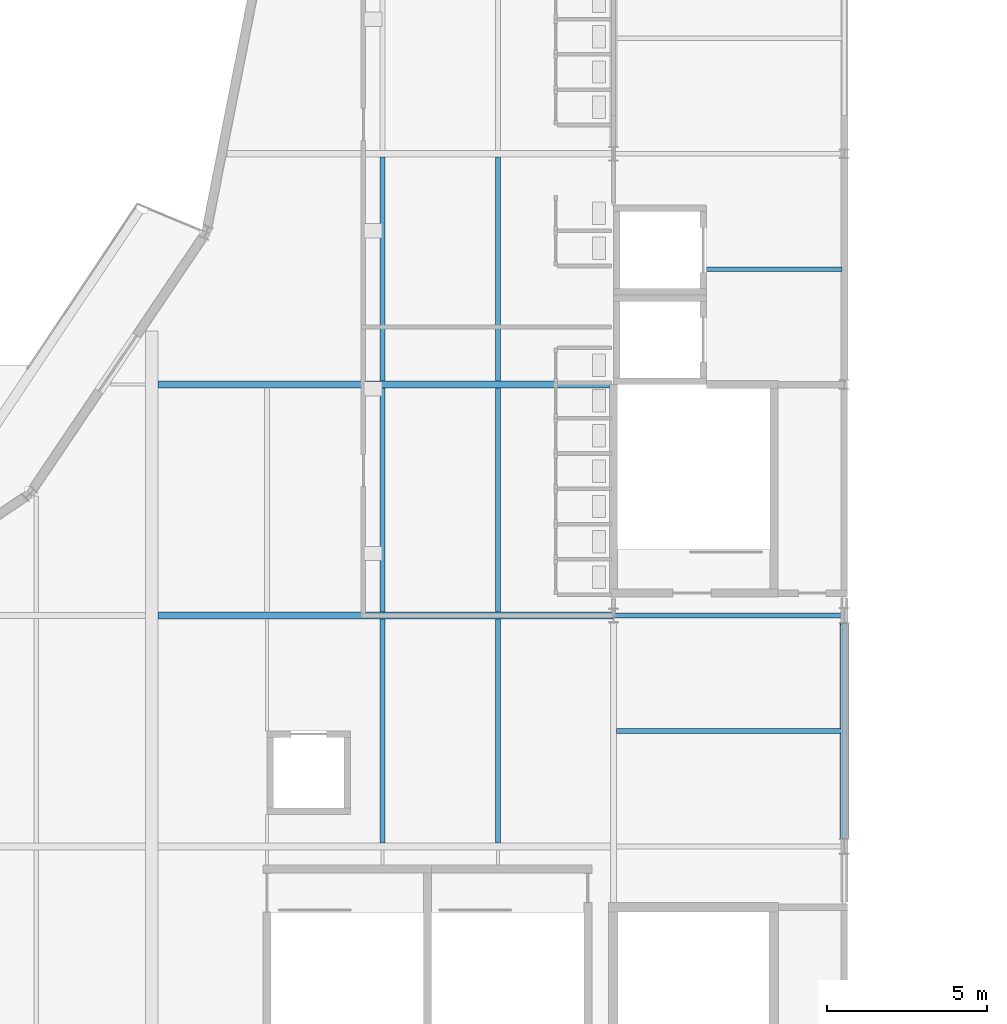
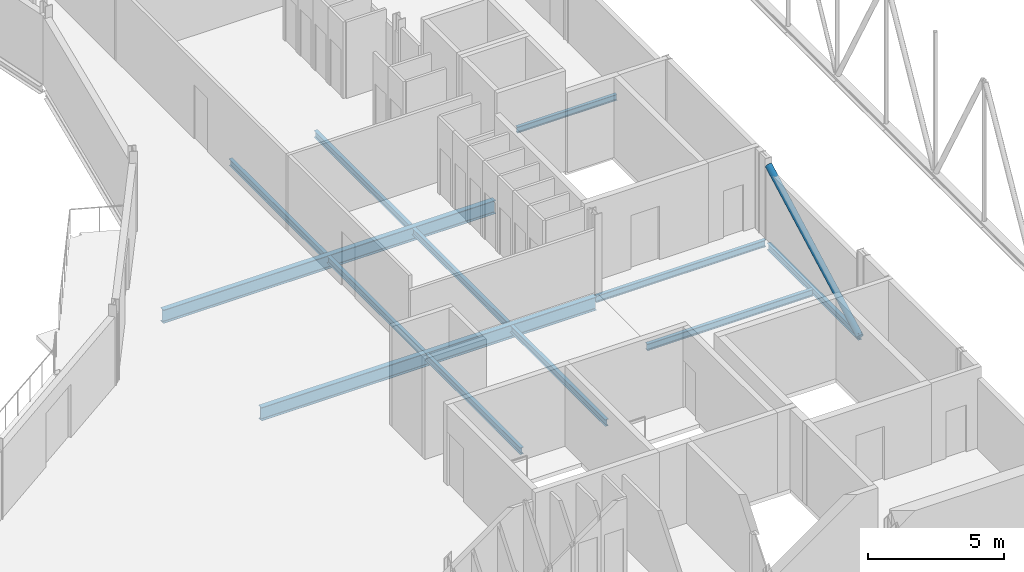
# One storey, part 36 of 142: 12 beams, 1 member.
"""IFC4 building model written with IfcOpenShell, lengths in metres."""

import ifcopenshell
import ifcopenshell.guid

model = None  # the IFC model being written
_history = None  # IfcOwnerHistory: only IFC2X3 demands one
_inside = {}  # id of a spatial element -> (the spatial element, [elements in it])
_under = {}  # id of a project, library or spatial element -> (it, [spatial elements below it])
_declared = {}  # id of a project -> (the project, [libraries it declares])
_typed = {}  # id of a type object -> (the type object, [elements of that type])
_made_of = {}  # id of a material, layer set ... -> (it, [elements and type objects made of it])


def new_model(schema):
    """Start an empty IFC model of exactly this schema.

    Asked for "IFC4X3", IfcOpenShell would pick the latest addendum, in which some entities
    have other attributes; the version numbers below select the first issue.
    IFC2X3 requires an IfcOwnerHistory on every rooted entity: one is made here for all.
    """
    global model, _history
    if schema == "IFC4X3":
        model = ifcopenshell.file(schema_version=(4, 3, 0, 0))
    else:
        model = ifcopenshell.file(schema=schema)
    _inside.clear()
    _under.clear()
    _declared.clear()
    _typed.clear()
    _made_of.clear()
    _history = None
    if model.schema == "IFC2X3":
        org = make("IfcOrganization", Name="unknown")
        user = make(
            "IfcPersonAndOrganization",
            ThePerson=make("IfcPerson", FamilyName="unknown"),
            TheOrganization=org,
        )
        app = make(
            "IfcApplication",
            ApplicationDeveloper=org,
            Version="unknown",
            ApplicationFullName="unknown",
            ApplicationIdentifier="unknown",
        )
        _history = make(
            "IfcOwnerHistory",
            OwningUser=user,
            OwningApplication=app,
            ChangeAction="ADDED",
            CreationDate=0,
        )
    return model


def make(cls, **values):
    """One entity of the class cls with the attributes given. An attribute that is None is left unset."""
    return model.create_entity(
        cls, **{name: value for name, value in values.items() if value is not None}
    )


def rooted(cls, **values):
    """An entity with a GlobalId (a new one), such as an element, a storey or a relation."""
    return make(cls, GlobalId=ifcopenshell.guid.new(), OwnerHistory=_history, **values)


def si_unit(unit_type, name, prefix=None):
    """IfcSIUnit, for example si_unit("LENGTHUNIT", "METRE", prefix="MILLI")."""
    return make("IfcSIUnit", UnitType=unit_type, Prefix=prefix, Name=name)


def assignment(units):
    """IfcUnitAssignment: the units of a project."""
    return None if units is None else make("IfcUnitAssignment", Units=units)


def point(xyz):
    """IfcCartesianPoint."""
    return None if xyz is None else make("IfcCartesianPoint", Coordinates=xyz)


def direction(xyz):
    """IfcDirection."""
    return None if xyz is None else make("IfcDirection", DirectionRatios=xyz)


def frame(location, z_axis=None, x_axis=None):
    """IfcAxis2Placement3D, a coordinate frame: its origin and axes. An axis left out is left unset."""
    return make(
        "IfcAxis2Placement3D",
        Location=point(location),
        Axis=direction(z_axis),
        RefDirection=direction(x_axis),
    )


def frame_2d(location, x_axis=None):
    """IfcAxis2Placement2D, a coordinate frame in the plane: its origin and x axis."""
    return make(
        "IfcAxis2Placement2D", Location=point(location), RefDirection=direction(x_axis)
    )


def origin():
    """The frame at (0, 0, 0) with its axes left unset."""
    return frame((0.0, 0.0, 0.0))


def origin_2d():
    """The frame at (0, 0) in the plane with its x axis left unset."""
    return frame_2d((0.0, 0.0))


def place(relative_to, where):
    """IfcLocalPlacement: puts the frame where relative to a parent placement (None: the world)."""
    return make(
        "IfcLocalPlacement", PlacementRelTo=relative_to, RelativePlacement=where
    )


def context(
    kind, dimensions, precision=None, world=None, true_north=None, identifier=None
):
    """IfcGeometricRepresentationContext, for example the 3D "Model" context."""
    return make(
        "IfcGeometricRepresentationContext",
        ContextIdentifier=identifier,
        ContextType=kind,
        CoordinateSpaceDimension=dimensions,
        Precision=precision,
        WorldCoordinateSystem=world,
        TrueNorth=true_north,
    )


def subcontext(parent, identifier, kind, view, scale=None):
    """IfcGeometricRepresentationSubContext, for example "Body" below "Model"."""
    return make(
        "IfcGeometricRepresentationSubContext",
        ContextIdentifier=identifier,
        ContextType=kind,
        ParentContext=parent,
        TargetScale=scale,
        TargetView=view,
    )


def project(units=None, contexts=None):
    """IfcProject with its units and contexts."""
    return rooted(
        "IfcProject",
        Name="project",
        RepresentationContexts=contexts,
        UnitsInContext=assignment(units),
    )


def spatial(cls, under=None, at=None, **own):
    """A site, building, storey or space (cls), placed at a placement, below another one or the project."""
    s = rooted(cls, ObjectPlacement=at, **own)
    if under is not None:
        _under.setdefault(under.id(), (under, []))[1].append(s)
    return s


def profile(cls, at=None, kind="AREA", **sizes):
    """A parametric profile (cls). Its sizes go by their IFC names, for example OverallWidth=200.0."""
    return make(cls, ProfileType=kind, Position=at, **sizes)


def hollow_circle(**sizes):
    """IfcCircleHollowProfileDef."""
    return profile("IfcCircleHollowProfileDef", **sizes)


def i_section(**sizes):
    """IfcIShapeProfileDef."""
    return profile("IfcIShapeProfileDef", **sizes)


def extrude(swept, where, along, depth):
    """IfcExtrudedAreaSolid: the profile swept, set in the frame where, extruded along a direction by depth."""
    return make(
        "IfcExtrudedAreaSolid",
        SweptArea=swept,
        Position=where,
        ExtrudedDirection=direction(along),
        Depth=depth,
    )


def shape(context_of_items, identifier, shape_type, items):
    """IfcShapeRepresentation: the items that make up one representation, for example the "Body"."""
    return make(
        "IfcShapeRepresentation",
        ContextOfItems=context_of_items,
        RepresentationIdentifier=identifier,
        RepresentationType=shape_type,
        Items=items,
    )


def material(Name=None, Category=None):
    """IfcMaterial."""
    return make("IfcMaterial", Name=Name, Category=Category)


def material_profile(
    of_material, cross_section, Name=None, Category=None, Priority=None
):
    """IfcMaterialProfile: a cross section and its material."""
    return make(
        "IfcMaterialProfile",
        Name=Name,
        Material=of_material,
        Profile=cross_section,
        Priority=Priority,
        Category=Category,
    )


def profile_set(profiles, Name=None, composite=None):
    """IfcMaterialProfileSet."""
    return make(
        "IfcMaterialProfileSet",
        Name=Name,
        MaterialProfiles=profiles,
        CompositeProfile=composite,
    )


def made_of(thing, what):
    """Note that an element or type object is made of a material, layer set ...; save() writes the relation."""
    if what is not None:
        _made_of.setdefault(what.id(), (what, []))[1].append(thing)
    return thing


def type_object(cls, material=None, **own):
    """A type object (cls), such as IfcWallType, which elements share."""
    return made_of(rooted(cls, **own), material)


def element(
    cls,
    number,
    at=None,
    inside=None,
    cuts=None,
    type_object=None,
    material=None,
    context=None,
    identifier="Body",
    shape_type=None,
    held_by="IfcProductDefinitionShape",
    body=None,
    shapes=None,
    **own,
):
    """One element of the class cls, such as IfcWall. Its Tag is "e" and its number.

    at: its placement. inside: the storey or other place that contains it. cuts: it is an
    opening in that element (IfcRelVoidsElement). A single representation is given by context,
    identifier, shape_type and body (its items); several are given by shapes. held_by: the class
    of the entity that holds the representations. save() writes the other relations.
    """
    e = rooted(cls, Tag="e%d" % number, ObjectPlacement=at, **own)
    if body is not None:
        shapes = [shape(context, identifier, shape_type, body)]
    if shapes is not None:
        e.Representation = make(held_by, Representations=shapes)
    if inside is not None:
        _inside.setdefault(inside.id(), (inside, []))[1].append(e)
    if cuts is not None:
        rooted(
            "IfcRelVoidsElement", RelatingBuildingElement=cuts, RelatedOpeningElement=e
        )
    if type_object is not None:
        _typed.setdefault(type_object.id(), (type_object, []))[1].append(e)
    return made_of(e, material)


def aggregate(whole, parts):
    """IfcRelAggregates: a whole, such as a stair, and the parts it consists of."""
    return rooted("IfcRelAggregates", RelatingObject=whole, RelatedObjects=parts)


def save(model, path):
    """Write the relations noted so far, then the file.

    IfcRelAggregates (storeys below a building ...), IfcRelContainedInSpatialStructure (elements
    in a storey), IfcRelDefinesByType, IfcRelAssociatesMaterial and IfcRelDeclares: one each for
    every whole, place, type object, material and project.
    """
    for whole, parts in _under.values():
        aggregate(whole, parts)
    for where, things in _inside.values():
        rooted(
            "IfcRelContainedInSpatialStructure",
            RelatedElements=things,
            RelatingStructure=where,
        )
    for kind, things in _typed.values():
        rooted("IfcRelDefinesByType", RelatedObjects=things, RelatingType=kind)
    for what, things in _made_of.values():
        rooted("IfcRelAssociatesMaterial", RelatedObjects=things, RelatingMaterial=what)
    for by, libraries in _declared.values():
        rooted("IfcRelDeclares", RelatingContext=by, RelatedDefinitions=libraries)
    model.write(path)


model = new_model("IFC4")

# Units and contexts
model_context = context("Model", 3, precision=1e-05, world=origin(), true_north=direction((0.0, 1.0)))
body_context = subcontext(model_context, "Body", "Model", "MODEL_VIEW")
ifc_project = project(units=[si_unit("LENGTHUNIT", "METRE"), si_unit("AREAUNIT", "SQUARE_METRE"), si_unit("VOLUMEUNIT", "CUBIC_METRE"), si_unit("PLANEANGLEUNIT", "RADIAN"), si_unit("MASSUNIT", "GRAM", prefix="KILO")], contexts=[model_context])

# Site, building, storey
site_placement = place(None, origin())
site = spatial("IfcSite", under=ifc_project, at=site_placement, CompositionType="ELEMENT")
building_placement = place(site_placement, origin())
building = spatial("IfcBuilding", under=site, at=building_placement, Name="Kupolbacken Congress Centre", CompositionType="ELEMENT")
storey_placement = place(building_placement, frame((0.0, 0.0, 14.39990234375)))
storey = spatial("IfcBuildingStorey", under=building, at=storey_placement, Name="L04", CompositionType="ELEMENT", Elevation=14.39990234375)

# Beams
ifc_material_1 = material(Name="Steel S355", Category="steel")
ifc_material_profile_1 = material_profile(ifc_material_1, i_section(OverallWidth=0.135009765625, OverallDepth=0.27001953125, WebThickness=0.006591796875, FlangeThickness=0.01025390625, FilletRadius=0.014892578125, at=origin_2d()), Name="IPE 270")
ifc_profile_set_1 = profile_set([ifc_material_profile_1], Name="Steel S355")
beam_type_1 = type_object("IfcBeamType", Name="B03 beam IPE 270", PredefinedType="BEAM", material=ifc_profile_set_1)
beam_1_placement = place(storey_placement, frame((82.10009765625, 75.60009765625, -0.31494140625), z_axis=(1.0, 0.0, 0.0), x_axis=(0.0, 1.0, 0.0)))
element("IfcBeam", 1, at=beam_1_placement, inside=storey, type_object=beam_type_1, Name="S/floor/LINK/L04/R015", PredefinedType="BEAM", context=body_context, shape_type="SweptSolid", body=[
    extrude(i_section(OverallWidth=0.135009765625, OverallDepth=0.27001953125, WebThickness=0.006591796875, FlangeThickness=0.01025390625, FilletRadius=0.014892578125, at=origin_2d()), origin(), (0.0, 0.0, 1.0), 4.224853515625),
])
ifc_material_2 = material(Name="Steel S355", Category="steel")
ifc_material_profile_2 = material_profile(ifc_material_2, i_section(OverallWidth=0.14990234375, OverallDepth=0.300048828125, WebThickness=0.007080078125, FlangeThickness=0.0107421875, FilletRadius=0.014892578125, at=origin_2d()), Name="IPE 300")
ifc_profile_set_2 = profile_set([ifc_material_profile_2], Name="Steel S355")
beam_type_2 = type_object("IfcBeamType", Name="B04 beam IPE 300", PredefinedType="BEAM", material=ifc_profile_set_2)
for number, where, z_axis, x_axis, name in (
    (2, (72.0, 57.7099609375, -0.329833984375), (0.0, 1.0, 0.0), (-1.0, 0.0, 0.0), "S/floor/P/L04/S141"),
    (3, (72.0, 64.909912109375, -0.329833984375), (0.0, 1.0, 0.0), (-1.0, 0.0, 0.0), "S/floor/P/L04/S142"),
):
    element("IfcBeam", number, at=place(storey_placement, frame(where, z_axis=z_axis, x_axis=x_axis)), inside=storey, type_object=beam_type_2, Name=name, PredefinedType="BEAM", context=body_context, shape_type="SweptSolid", body=[
        extrude(i_section(OverallWidth=0.14990234375, OverallDepth=0.300048828125, WebThickness=0.007080078125, FlangeThickness=0.0107421875, FilletRadius=0.014892578125, at=origin_2d()), origin(), (0.0, 0.0, 1.0), 6.97998046875),
    ])
beam_2_placement = place(storey_placement, frame((72.0, 72.110107421875, -0.329833984375), z_axis=(0.0, 1.0, 0.0), x_axis=(-1.0, 0.0, 0.0)))
element("IfcBeam", 4, at=beam_2_placement, inside=storey, type_object=beam_type_2, Name="S/floor/P/L04/S143", PredefinedType="BEAM", context=body_context, shape_type="SweptSolid", body=[
    extrude(i_section(OverallWidth=0.14990234375, OverallDepth=0.300048828125, WebThickness=0.007080078125, FlangeThickness=0.0107421875, FilletRadius=0.014892578125, at=origin_2d()), origin(), (0.0, 0.0, 1.0), 6.98486328125),
])
for number, where, z_axis, x_axis, name in (
    (5, (75.60009765625, 57.7099609375, -0.329833984375), (0.0, 1.0, 0.0), (-1.0, 0.0, 0.0), "S/floor/P/L04/S152"),
    (6, (75.60009765625, 64.909912109375, -0.329833984375), (0.0, 1.0, 0.0), (-1.0, 0.0, 0.0), "S/floor/P/L04/S153"),
):
    element("IfcBeam", number, at=place(storey_placement, frame(where, z_axis=z_axis, x_axis=x_axis)), inside=storey, type_object=beam_type_2, Name=name, PredefinedType="BEAM", context=body_context, shape_type="SweptSolid", body=[
        extrude(i_section(OverallWidth=0.14990234375, OverallDepth=0.300048828125, WebThickness=0.007080078125, FlangeThickness=0.0107421875, FilletRadius=0.014892578125, at=origin_2d()), origin(), (0.0, 0.0, 1.0), 6.97998046875),
    ])
beam_3_placement = place(storey_placement, frame((75.60009765625, 72.110107421875, -0.329833984375), z_axis=(0.0, 1.0, 0.0), x_axis=(-1.0, 0.0, 0.0)))
element("IfcBeam", 7, at=beam_3_placement, inside=storey, type_object=beam_type_2, Name="S/floor/P/L04/S154", PredefinedType="BEAM", context=body_context, shape_type="SweptSolid", body=[
    extrude(i_section(OverallWidth=0.14990234375, OverallDepth=0.300048828125, WebThickness=0.007080078125, FlangeThickness=0.0107421875, FilletRadius=0.014892578125, at=origin_2d()), origin(), (0.0, 0.0, 1.0), 6.98486328125),
])
beam_4_placement = place(storey_placement, frame((86.39990234375, 57.844970703125, -0.329833984375), z_axis=(0.0, 1.0, 0.0), x_axis=(-1.0, 0.0, 0.0)))
element("IfcBeam", 8, at=beam_4_placement, inside=storey, type_object=beam_type_2, Name="S/floor/LINK/L04/E003", PredefinedType="BEAM", context=body_context, shape_type="SweptSolid", body=[
    extrude(i_section(OverallWidth=0.14990234375, OverallDepth=0.300048828125, WebThickness=0.007080078125, FlangeThickness=0.0107421875, FilletRadius=0.014892578125, at=origin_2d()), origin(), (0.0, 0.0, 1.0), 6.7099609375),
])
beam_5_placement = place(storey_placement, frame((79.2900390625, 61.199951171875, -0.329833984375), z_axis=(1.0, 0.0, 0.0), x_axis=(0.0, 1.0, 0.0)))
element("IfcBeam", 9, at=beam_5_placement, inside=storey, type_object=beam_type_2, Name="S/floor/LINK/L04/R013", PredefinedType="BEAM", context=body_context, shape_type="SweptSolid", body=[
    extrude(i_section(OverallWidth=0.14990234375, OverallDepth=0.300048828125, WebThickness=0.007080078125, FlangeThickness=0.0107421875, FilletRadius=0.014892578125, at=origin_2d()), origin(), (0.0, 0.0, 1.0), 7.034912109375),
])
beam_6_placement = place(storey_placement, frame((79.20703125, 64.800048828125, -0.329833984375), z_axis=(1.0, 0.0, 0.0), x_axis=(0.0, 1.0, 0.0)))
element("IfcBeam", 10, at=beam_6_placement, inside=storey, type_object=beam_type_2, Name="S/floor/LINK/L04/R014", PredefinedType="BEAM", context=body_context, shape_type="SweptSolid", body=[
    extrude(i_section(OverallWidth=0.14990234375, OverallDepth=0.300048828125, WebThickness=0.007080078125, FlangeThickness=0.0107421875, FilletRadius=0.014892578125, at=origin_2d()), origin(), (0.0, 0.0, 1.0), 7.18701171875),
])
ifc_material_3 = material(Name="Steel S355", Category="steel")
ifc_material_profile_3 = material_profile(ifc_material_3, i_section(OverallWidth=0.219970703125, OverallDepth=0.60009765625, WebThickness=0.011962890625, FlangeThickness=0.01904296875, FilletRadius=0.02392578125, at=origin_2d()), Name="IPE 600")
ifc_profile_set_3 = profile_set([ifc_material_profile_3], Name="Steel S355")
beam_type_3 = type_object("IfcBeamType", Name="B11 beam IPE 600", PredefinedType="BEAM", material=ifc_profile_set_3)
beam_7_placement = place(storey_placement, frame((65.0, 64.800048828125, -0.47998046875), z_axis=(1.0, 0.0, 0.0), x_axis=(0.0, 1.0, 0.0)))
element("IfcBeam", 11, at=beam_7_placement, inside=storey, type_object=beam_type_3, Name="S/floor/P/L04/R046", PredefinedType="BEAM", context=body_context, shape_type="SweptSolid", body=[
    extrude(i_section(OverallWidth=0.219970703125, OverallDepth=0.60009765625, WebThickness=0.011962890625, FlangeThickness=0.01904296875, FilletRadius=0.02392578125, at=origin_2d()), origin(), (0.0, 0.0, 1.0), 14.193115234375),
])
beam_8_placement = place(storey_placement, frame((65.0, 72.0, -0.47998046875), z_axis=(1.0, 0.0, 0.0), x_axis=(0.0, 1.0, 0.0)))
element("IfcBeam", 12, at=beam_8_placement, inside=storey, type_object=beam_type_3, Name="S/floor/P/L04/R050", PredefinedType="BEAM", context=body_context, shape_type="SweptSolid", body=[
    extrude(i_section(OverallWidth=0.219970703125, OverallDepth=0.60009765625, WebThickness=0.011962890625, FlangeThickness=0.01904296875, FilletRadius=0.02392578125, at=origin_2d()), origin(), (0.0, 0.0, 1.0), 14.074951171875),
])

# Member
ifc_material_4 = material(Name="Steel S355", Category="steel")
ifc_material_profile_4 = material_profile(ifc_material_4, hollow_circle(Radius=0.136474609375, WallThickness=0.012451171875, at=origin_2d()), Name="CHS 273 x 12.5")
ifc_profile_set_4 = profile_set([ifc_material_profile_4], Name="Steel S355")
member_type = type_object("IfcMemberType", Name="M08 brace CHS 273 x 12.5", PredefinedType="BRACE", material=ifc_profile_set_4)
member_placement = place(storey_placement, frame((86.39990234375, 57.844970703125, -0.329833984375), z_axis=(0.0, 0.881193823646, 0.472755164083), x_axis=(-1.0, 0.0, 0.0)))
element("IfcMember", 13, at=member_placement, inside=storey, type_object=member_type, Name="S/brace/W/03/05", PredefinedType="BRACE", context=body_context, shape_type="SweptSolid", body=[
    extrude(hollow_circle(Radius=0.136474609375, WallThickness=0.012451171875, at=origin_2d()), origin(), (0.0, 0.0, 1.0), 7.61474609375),
])

save(model, "model.ifc")
